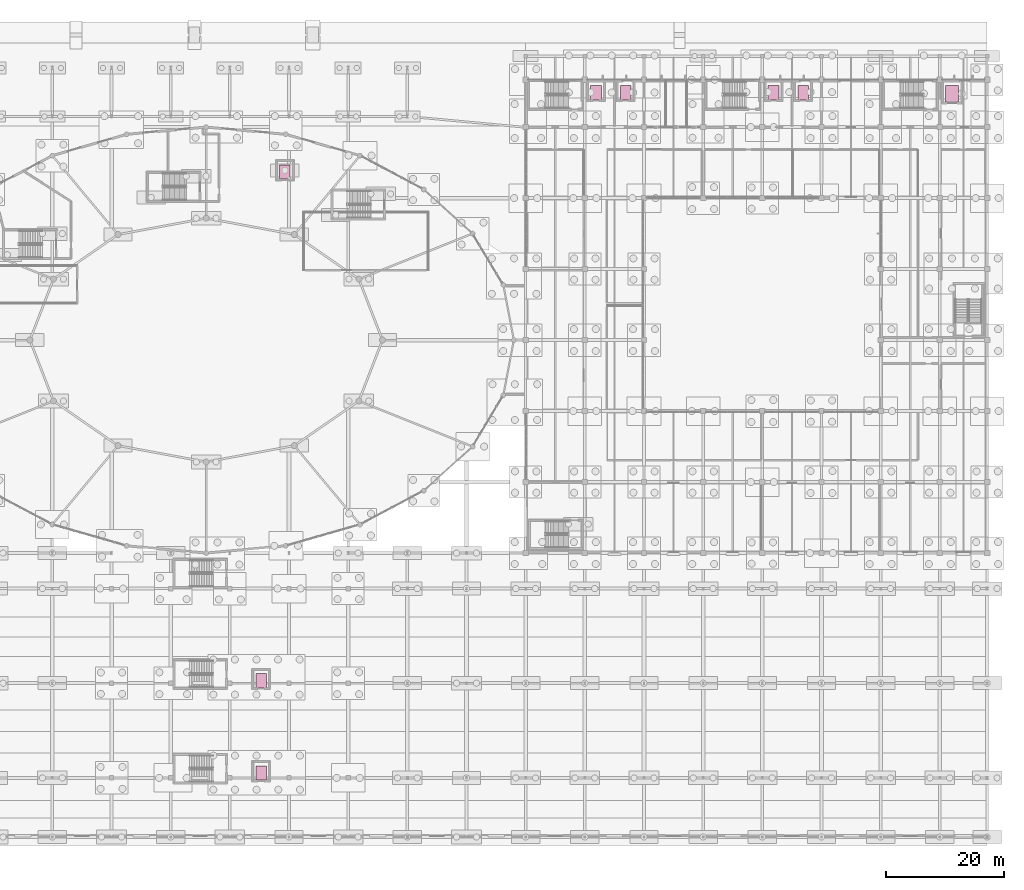
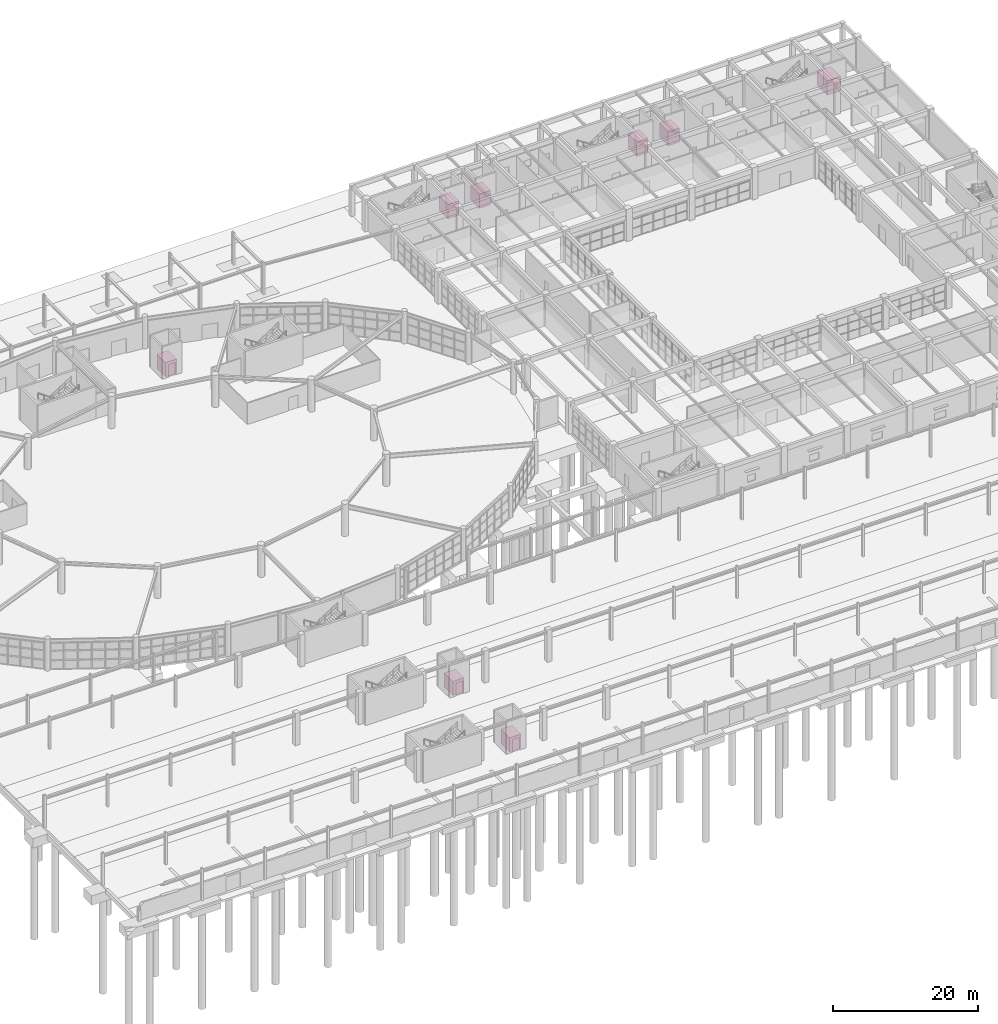
# One storey, part 99 of 99: 8 transport elements.
"""IFC4 building model written with IfcOpenShell, lengths in metres."""

from ifc_helpers import new_model, si_unit, direction, frame, origin, origin_2d, place, context, subcontext, project, spatial, rectangle, extrude, material, type_object, element, save


model = new_model("IFC4")

# Units and contexts
model_context = context("Model", 3, precision=1e-05, world=origin(), true_north=direction((0.0, 1.0)))
body_context = subcontext(model_context, "Body", "Model", "MODEL_VIEW")
ifc_project = project(units=[si_unit("LENGTHUNIT", "METRE"), si_unit("AREAUNIT", "SQUARE_METRE"), si_unit("VOLUMEUNIT", "CUBIC_METRE"), si_unit("PLANEANGLEUNIT", "RADIAN"), si_unit("MASSUNIT", "GRAM", prefix="KILO")], contexts=[model_context])

# Site, building, storey
site_placement = place(None, origin())
site = spatial("IfcSite", under=ifc_project, at=site_placement, CompositionType="ELEMENT")
building_placement = place(site_placement, origin())
building = spatial("IfcBuilding", under=site, at=building_placement, Name="Kivolera Central Railway Station", CompositionType="ELEMENT")
storey_placement = place(building_placement, origin())
storey = spatial("IfcBuildingStorey", under=building, at=storey_placement, Name="L00", CompositionType="ELEMENT", Elevation=0.0)

# Transport elements
ifc_material = material(Name="Anodised aluminium", Category="aluminium")
transport_element_type_1 = type_object("IfcTransportElementType", Name="LFT-FF-1800", PredefinedType="ELEVATOR", material=ifc_material)
for number, where, z_axis, x_axis, name in (
    (1, (129.89990234375, 131.804931640625, 0.0), (0.0, 0.0, 1.0), (1.0, 0.0, 0.0), "Firefighting Lift FL1"),
    (2, (159.89990234375, 131.804931640625, 0.0), (0.0, 0.0, 1.0), (1.0, 0.0, 0.0), "Firefighting Lift FL2"),
):
    element("IfcTransportElement", number, at=place(storey_placement, frame(where, z_axis=z_axis, x_axis=x_axis)), inside=storey, type_object=transport_element_type_1, Name=name, PredefinedType="ELEVATOR", context=body_context, shape_type="SweptSolid", body=[
        extrude(rectangle(XDim=1.800048828125, YDim=2.39990234375, at=origin_2d()), origin(), (0.0, 0.0, 1.0), 2.39990234375),
    ])
transport_element_type_2 = type_object("IfcTransportElementType", Name="LFT-GDS-2200", PredefinedType="ELEVATOR", material=ifc_material)
transport_element_placement = place(storey_placement, frame((190.10009765625, 131.60498046875, 0.0), z_axis=(0.0, 0.0, 1.0), x_axis=(1.0, 0.0, 0.0)))
element("IfcTransportElement", 3, at=transport_element_placement, inside=storey, type_object=transport_element_type_2, Name="Baggage and Goods Lift GL1", PredefinedType="ELEVATOR", context=body_context, shape_type="SweptSolid", body=[
    extrude(rectangle(XDim=2.199951171875, YDim=2.800048828125, at=origin_2d()), origin(), (0.0, 0.0, 1.0), 2.39990234375),
])
transport_element_type_3 = type_object("IfcTransportElementType", Name="LFT-PAX-1800", PredefinedType="ELEVATOR", material=ifc_material)
for number, where, z_axis, x_axis, name in (
    (4, (134.89990234375, 131.804931640625, 0.0), (0.0, 0.0, 1.0), (1.0, 0.0, 0.0), "Wing Passenger Lift PL1"),
    (5, (164.89990234375, 131.804931640625, 0.0), (0.0, 0.0, 1.0), (1.0, 0.0, 0.0), "Wing Passenger Lift PL2"),
    (6, (77.300048828125, 118.405029296875, 0.0), (0.0, 0.0, 1.0), (1.0, 0.0, 0.0), "Concourse Panoramic Passenger Lift PL3"),
    (7, (73.300048828125, 32.405029296875, 0.0), (0.0, 0.0, 1.0), (1.0, 0.0, 0.0), "Platform 2 Passenger Lift PL4"),
    (8, (73.300048828125, 16.804931640625, 0.0), (0.0, 0.0, 1.0), (1.0, 0.0, 0.0), "Platform 1 Passenger Lift PL5"),
):
    element("IfcTransportElement", number, at=place(storey_placement, frame(where, z_axis=z_axis, x_axis=x_axis)), inside=storey, type_object=transport_element_type_3, Name=name, PredefinedType="ELEVATOR", context=body_context, shape_type="SweptSolid", body=[
        extrude(rectangle(XDim=1.800048828125, YDim=2.39990234375, at=origin_2d()), origin(), (0.0, 0.0, 1.0), 2.39990234375),
    ])

save(model, "model.ifc")
